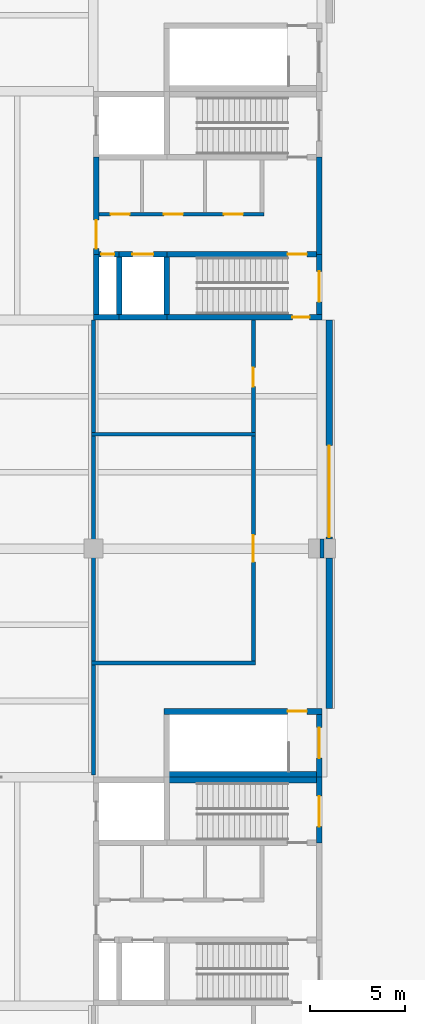
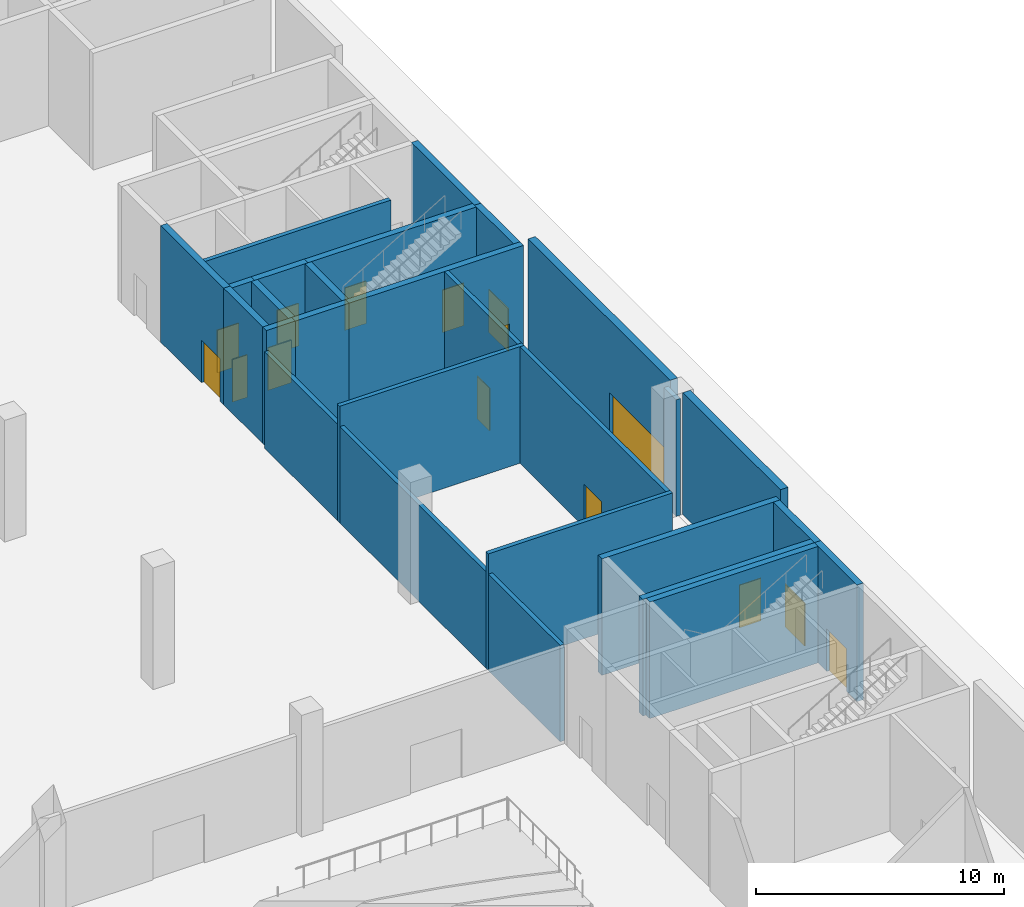
# One storey, part 43 of 59: 28 walls, 15 doors, 15 openings.
"""IFC4 building model written with IfcOpenShell, lengths in metres."""

from ifc_helpers import new_model, si_unit, direction, frame, frame_2d, origin, place, context, subcontext, project, spatial, rectangle, extrude, material, layer, layer_set, type_object, element, fill, save


model = new_model("IFC4")

# Units and contexts
model_context = context("Model", 3, precision=1e-05, world=origin(), true_north=direction((0.0, 1.0)))
body_context = subcontext(model_context, "Body", "Model", "MODEL_VIEW")
ifc_project = project(units=[si_unit("LENGTHUNIT", "METRE"), si_unit("AREAUNIT", "SQUARE_METRE"), si_unit("VOLUMEUNIT", "CUBIC_METRE"), si_unit("PLANEANGLEUNIT", "RADIAN"), si_unit("MASSUNIT", "GRAM", prefix="KILO")], contexts=[model_context])

# Site, building, storey
site_placement = place(None, origin())
site = spatial("IfcSite", under=ifc_project, at=site_placement, CompositionType="ELEMENT")
building_placement = place(site_placement, origin())
building = spatial("IfcBuilding", under=site, at=building_placement, Name="Lilac Gate Convention Centre", CompositionType="ELEMENT")
storey_placement = place(building_placement, origin())
storey = spatial("IfcBuildingStorey", under=building, at=storey_placement, Name="L00", CompositionType="ELEMENT", Elevation=0.0)

# Walls
ifc_material_1 = material(Name="Clay brick masonry", Category="masonry")
ifc_layer_1 = layer(ifc_material_1, 0.199951171875)
ifc_layer_set_1 = layer_set([ifc_layer_1], Name="Clay brick masonry")
wall_type_1 = type_object("IfcWallType", Name="Partition 200 brick EI 120", PredefinedType="PARTITIONING", material=ifc_layer_set_1)
for number, where, z_axis, x_axis, name in (
    (1, (77.89990234375, 168.0, 0.0), (0.0, 0.0, 1.0), (1.0, 0.0, 0.0), "Partition 200 brick EI 120"),
    (2, (77.89990234375, 180.0, 0.0), (0.0, 0.0, 1.0), (1.0, 0.0, 0.0), "Partition 200 brick EI 120"),
):
    element("IfcWall", number, at=place(storey_placement, frame(where, z_axis=z_axis, x_axis=x_axis)), inside=storey, type_object=wall_type_1, Name=name, PredefinedType="PARTITIONING", context=body_context, shape_type="SweptSolid", body=[
        extrude(rectangle(XDim=8.60009765625, YDim=0.199951171875, at=frame_2d((4.300048828125, 0.0))), origin(), (0.0, 0.0, 1.0), 5.75),
    ])
wall_1_placement = place(storey_placement, frame((78.0, 168.10009765625, 0.0), z_axis=(0.0, 0.0, 1.0), x_axis=(0.0, 1.0, 0.0)))
element("IfcWall", 3, at=wall_1_placement, inside=storey, type_object=wall_type_1, Name="Partition 200 brick EI 120", PredefinedType="PARTITIONING", context=body_context, shape_type="SweptSolid", body=[
    extrude(rectangle(XDim=11.7998046875, YDim=0.199951171875, at=frame_2d((5.89990234375, 0.0))), origin(), (0.0, 0.0, 1.0), 4.75),
])

# Wall, opening, door
wall_2_placement = place(storey_placement, frame((86.39990234375, 168.10009765625, 0.0), z_axis=(0.0, 0.0, 1.0), x_axis=(0.0, 1.0, 0.0)))
wall_2 = element("IfcWall", 4, at=wall_2_placement, inside=storey, type_object=wall_type_1, Name="Partition 200 brick EI 120", PredefinedType="PARTITIONING", context=body_context, shape_type="SweptSolid", body=[
    extrude(rectangle(XDim=11.7998046875, YDim=0.199951171875, at=frame_2d((5.89990234375, 0.0))), origin(), (0.0, 0.0, 1.0), 5.75),
])
opening_1_placement = place(wall_2_placement, frame((5.199951171875, 0.0, 0.0)))
opening_1 = element("IfcOpeningElement", 5, at=opening_1_placement, cuts=wall_2, Name="Opening L00-102", PredefinedType="OPENING", context=body_context, shape_type="SweptSolid", body=[
    extrude(rectangle(XDim=1.39990234375, YDim=2.10009765625, at=frame_2d((0.699951171875, 1.050048828125))), frame((0.0, 0.10986328125, 0.0), z_axis=(0.0, -1.0, 0.0), x_axis=(1.0, 0.0, 0.0)), (0.0, 0.0, 1.0), 0.219970703125),
])
ifc_material_2 = material(Name="Timber fire door leaf", Category="wood")
door_type_1 = type_object("IfcDoorType", Name="Door 1400 x 2100 double leaf FD30", OperationType="DOUBLE_DOOR_SINGLE_SWING", PredefinedType="DOOR", material=ifc_material_2)
door_1_placement = place(opening_1_placement, origin())
door_1 = element("IfcDoor", 6, at=door_1_placement, inside=storey, type_object=door_type_1, Name="Kitchen door L00-102", OperationType="DOUBLE_DOOR_SINGLE_SWING", OverallHeight=2.10009765625, OverallWidth=1.39990234375, PredefinedType="DOOR", context=body_context, shape_type="SweptSolid", body=[
    extrude(rectangle(XDim=1.39990234375, YDim=2.10009765625, at=frame_2d((0.699951171875, 1.050048828125))), frame((0.0, 0.02490234375, 0.0), z_axis=(0.0, -1.0, 0.0), x_axis=(1.0, 0.0, 0.0)), (0.0, 0.0, 1.0), 0.050048828125),
])
fill(opening_1, door_1)

# Wall, openings, doors
ifc_layer_2 = layer(ifc_material_1, 0.199951171875)
ifc_layer_set_2 = layer_set([ifc_layer_2], Name="Clay brick masonry")
wall_type_2 = type_object("IfcWallType", Name="Partition 200 brick EI 60", PredefinedType="PARTITIONING", material=ifc_layer_set_2)
wall_3_placement = place(storey_placement, frame((78.300048828125, 191.550048828125, 0.0), z_axis=(0.0, 0.0, 1.0), x_axis=(1.0, 0.0, 0.0)))
wall_3 = element("IfcWall", 7, at=wall_3_placement, inside=storey, type_object=wall_type_2, Name="Partition 200 brick EI 60", PredefinedType="PARTITIONING", context=body_context, shape_type="SweptSolid", body=[
    extrude(rectangle(XDim=8.64990234375, YDim=0.199951171875, at=frame_2d((4.324951171875, 0.0))), origin(), (0.0, 0.0, 1.0), 5.75),
])
opening_2_placement = place(wall_3_placement, frame((0.60009765625, 0.0, 0.0)))
opening_2 = element("IfcOpeningElement", 8, at=opening_2_placement, cuts=wall_3, Name="Opening L00-113", PredefinedType="OPENING", context=body_context, shape_type="SweptSolid", body=[
    extrude(rectangle(XDim=1.0, YDim=2.10009765625, at=frame_2d((0.5, 1.050048828125))), frame((0.0, 0.10986328125, 0.0), z_axis=(0.0, -1.0, 0.0), x_axis=(1.0, 0.0, 0.0)), (0.0, 0.0, 1.0), 0.219970703125),
])
opening_3_placement = place(wall_3_placement, frame((3.39990234375, 0.0, 0.0)))
opening_3 = element("IfcOpeningElement", 9, at=opening_3_placement, cuts=wall_3, Name="Opening L00-114", PredefinedType="OPENING", context=body_context, shape_type="SweptSolid", body=[
    extrude(rectangle(XDim=1.0, YDim=2.10009765625, at=frame_2d((0.5, 1.050048828125))), frame((0.0, 0.10986328125, 0.0), z_axis=(0.0, -1.0, 0.0), x_axis=(1.0, 0.0, 0.0)), (0.0, 0.0, 1.0), 0.219970703125),
])
opening_4_placement = place(wall_3_placement, frame((6.550048828125, 0.0, 0.0)))
opening_4 = element("IfcOpeningElement", 10, at=opening_4_placement, cuts=wall_3, Name="Opening L00-115", PredefinedType="OPENING", context=body_context, shape_type="SweptSolid", body=[
    extrude(rectangle(XDim=1.0, YDim=2.10009765625, at=frame_2d((0.5, 1.050048828125))), frame((0.0, 0.10986328125, 0.0), z_axis=(0.0, -1.0, 0.0), x_axis=(1.0, 0.0, 0.0)), (0.0, 0.0, 1.0), 0.219970703125),
])
door_type_2 = type_object("IfcDoorType", Name="Door 1000 x 2100 single leaf FD30", OperationType="SINGLE_SWING_LEFT", PredefinedType="DOOR", material=ifc_material_2)
door_2_placement = place(opening_2_placement, origin())
door_2 = element("IfcDoor", 11, at=door_2_placement, inside=storey, type_object=door_type_2, Name="Accessible WC door L00-113", OperationType="SINGLE_SWING_RIGHT", OverallHeight=2.10009765625, OverallWidth=1.0, PredefinedType="DOOR", context=body_context, shape_type="SweptSolid", body=[
    extrude(rectangle(XDim=1.0, YDim=2.10009765625, at=frame_2d((0.5, 1.050048828125))), frame((0.0, 0.02490234375, 0.0), z_axis=(0.0, -1.0, 0.0), x_axis=(1.0, 0.0, 0.0)), (0.0, 0.0, 1.0), 0.050048828125),
])
fill(opening_2, door_2)
door_3_placement = place(opening_3_placement, origin())
door_3 = element("IfcDoor", 12, at=door_3_placement, inside=storey, type_object=door_type_2, Name="WC door L00-114", OperationType="SINGLE_SWING_LEFT", OverallHeight=2.10009765625, OverallWidth=1.0, PredefinedType="DOOR", context=body_context, shape_type="SweptSolid", body=[
    extrude(rectangle(XDim=1.0, YDim=2.10009765625, at=frame_2d((0.5, 1.050048828125))), frame((0.0, 0.02490234375, 0.0), z_axis=(0.0, -1.0, 0.0), x_axis=(1.0, 0.0, 0.0)), (0.0, 0.0, 1.0), 0.050048828125),
])
fill(opening_3, door_3)
door_4_placement = place(opening_4_placement, origin())
door_4 = element("IfcDoor", 13, at=door_4_placement, inside=storey, type_object=door_type_2, Name="WC door L00-115", OperationType="SINGLE_SWING_RIGHT", OverallHeight=2.10009765625, OverallWidth=1.0, PredefinedType="DOOR", context=body_context, shape_type="SweptSolid", body=[
    extrude(rectangle(XDim=1.0, YDim=2.10009765625, at=frame_2d((0.5, 1.050048828125))), frame((0.0, 0.02490234375, 0.0), z_axis=(0.0, -1.0, 0.0), x_axis=(1.0, 0.0, 0.0)), (0.0, 0.0, 1.0), 0.050048828125),
])
fill(opening_4, door_4)

# Walls
wall_4_placement = place(storey_placement, frame((78.0, 162.10009765625, 0.0), z_axis=(0.0, 0.0, 1.0), x_axis=(0.0, 1.0, 0.0)))
element("IfcWall", 14, at=wall_4_placement, inside=storey, type_object=wall_type_2, Name="Partition 200 brick EI 60", PredefinedType="PARTITIONING", context=body_context, shape_type="SweptSolid", body=[
    extrude(rectangle(XDim=5.7998046875, YDim=0.199951171875, at=frame_2d((2.89990234375, 0.0))), origin(), (0.0, 0.0, 1.0), 4.75),
])
wall_5_placement = place(storey_placement, frame((78.0, 180.10009765625, 0.0), z_axis=(0.0, 0.0, 1.0), x_axis=(0.0, 1.0, 0.0)))
element("IfcWall", 15, at=wall_5_placement, inside=storey, type_object=wall_type_2, Name="Partition 200 brick EI 60", PredefinedType="PARTITIONING", context=body_context, shape_type="SweptSolid", body=[
    extrude(rectangle(XDim=5.89990234375, YDim=0.199951171875, at=frame_2d((2.949951171875, 0.0))), origin(), (0.0, 0.0, 1.0), 4.75),
])

# Wall, opening, door
wall_6_placement = place(storey_placement, frame((86.39990234375, 180.10009765625, 0.0), z_axis=(0.0, 0.0, 1.0), x_axis=(0.0, 1.0, 0.0)))
wall_6 = element("IfcWall", 16, at=wall_6_placement, inside=storey, type_object=wall_type_2, Name="Partition 200 brick EI 60", PredefinedType="PARTITIONING", context=body_context, shape_type="SweptSolid", body=[
    extrude(rectangle(XDim=5.89990234375, YDim=0.199951171875, at=frame_2d((2.949951171875, 0.0))), origin(), (0.0, 0.0, 1.0), 5.75),
])
opening_5_placement = place(wall_6_placement, frame((2.39990234375, 0.0, 0.0)))
opening_5 = element("IfcOpeningElement", 17, at=opening_5_placement, cuts=wall_6, Name="Opening L00-106", PredefinedType="OPENING", context=body_context, shape_type="SweptSolid", body=[
    extrude(rectangle(XDim=1.0, YDim=2.10009765625, at=frame_2d((0.5, 1.050048828125))), frame((0.0, 0.10986328125, 0.0), z_axis=(0.0, -1.0, 0.0), x_axis=(1.0, 0.0, 0.0)), (0.0, 0.0, 1.0), 0.219970703125),
])
door_5_placement = place(opening_5_placement, origin())
door_5 = element("IfcDoor", 18, at=door_5_placement, inside=storey, type_object=door_type_2, Name="Store door L00-106", OperationType="SINGLE_SWING_RIGHT", OverallHeight=2.10009765625, OverallWidth=1.0, PredefinedType="DOOR", context=body_context, shape_type="SweptSolid", body=[
    extrude(rectangle(XDim=1.0, YDim=2.10009765625, at=frame_2d((0.5, 1.050048828125))), frame((0.0, 0.02490234375, 0.0), z_axis=(0.0, -1.0, 0.0), x_axis=(1.0, 0.0, 0.0)), (0.0, 0.0, 1.0), 0.050048828125),
])
fill(opening_5, door_5)

# Walls
wall_7_placement = place(storey_placement, frame((90.0, 173.5, 0.0), z_axis=(0.0, 0.0, 1.0), x_axis=(0.0, 1.0, 0.0)))
element("IfcWall", 19, at=wall_7_placement, inside=storey, type_object=wall_type_2, Name="Partition 200 brick EI 60", PredefinedType="PARTITIONING", context=body_context, shape_type="SweptSolid", body=[
    extrude(rectangle(XDim=1.0, YDim=0.199951171875, at=frame_2d((0.5, 0.0))), origin(), (0.0, 0.0, 1.0), 5.75),
])
ifc_material_3 = material(Name="Ochre mineral render")
ifc_layer_3 = layer(ifc_material_3, 0.02001953125)
ifc_material_4 = material(Name="Concrete C40 precast", Category="concrete")
ifc_layer_4 = layer(ifc_material_4, 0.06005859375)
ifc_material_5 = material(Name="Ventilated air cavity")
ifc_layer_5 = layer(ifc_material_5, 0.030029296875)
ifc_material_6 = material(Name="Mineral wool insulation")
ifc_layer_6 = layer(ifc_material_6, 0.169921875)
ifc_material_7 = material(Name="Steel stud Q345 and gypsum lining", Category="steel")
ifc_layer_7 = layer(ifc_material_7, 0.070068359375)
ifc_layer_set_3 = layer_set([ifc_layer_3, ifc_layer_4, ifc_layer_5, ifc_layer_6, ifc_layer_7], Name="Ochre mineral render, Concrete C40 precast, Ventilated air cavity, Mineral wool insulation, Steel stud Q345 and gypsum lining")
wall_type_3 = type_object("IfcWallType", Name="Podium precast wall 350", PredefinedType="STANDARD", material=ifc_layer_set_3)
wall_8_placement = place(storey_placement, frame((90.375, 165.60009765625, 0.0), z_axis=(0.0, 0.0, 1.0), x_axis=(0.0, 1.0, 0.0)))
element("IfcWall", 20, at=wall_8_placement, inside=storey, type_object=wall_type_3, Name="External wall hall east HE L00 10", PredefinedType="STANDARD", context=body_context, shape_type="SweptSolid", body=[
    extrude(rectangle(XDim=7.89990234375, YDim=0.35009765625, at=frame_2d((3.949951171875, 0.0))), origin(), (0.0, 0.0, 1.0), 6.0),
])

# Wall, opening, door
wall_9_placement = place(storey_placement, frame((90.375, 174.5, 0.0), z_axis=(0.0, 0.0, 1.0), x_axis=(0.0, 1.0, 0.0)))
wall_9 = element("IfcWall", 21, at=wall_9_placement, inside=storey, type_object=wall_type_3, Name="External wall hall east HE L00 11", PredefinedType="STANDARD", context=body_context, shape_type="SweptSolid", body=[
    extrude(rectangle(XDim=11.5, YDim=0.35009765625, at=frame_2d((5.75, 0.0))), origin(), (0.0, 0.0, 1.0), 6.0),
])
opening_6_placement = place(wall_9_placement, frame((0.10009765625, 0.0, 0.0)))
opening_6 = element("IfcOpeningElement", 22, at=opening_6_placement, cuts=wall_9, Name="Opening ED-029", PredefinedType="OPENING", context=body_context, shape_type="SweptSolid", body=[
    extrude(rectangle(XDim=4.800048828125, YDim=2.39990234375, at=frame_2d((2.39990234375, 1.199951171875))), frame((0.0, 0.18505859375, 0.0), z_axis=(0.0, -1.0, 0.0), x_axis=(1.0, 0.0, 0.0)), (0.0, 0.0, 1.0), 0.3701171875),
])
ifc_material_8 = material(Name="Steel Q235B", Category="steel")
door_type_3 = type_object("IfcDoorType", Name="Exit door set 4800 x 2400", OperationType="DOUBLE_DOOR_SINGLE_SWING", PredefinedType="DOOR", material=ifc_material_8)
door_6_placement = place(opening_6_placement, frame((4.800048828125, 0.0, 0.0), z_axis=(0.0, 0.0, 1.0), x_axis=(-1.0, 0.0, 0.0)))
door_6 = element("IfcDoor", 23, at=door_6_placement, inside=storey, type_object=door_type_3, Name="Pedestrian exit doors G18", OperationType="DOUBLE_DOOR_SINGLE_SWING", OverallHeight=2.39990234375, OverallWidth=4.800048828125, PredefinedType="DOOR", context=body_context, shape_type="SweptSolid", body=[
    extrude(rectangle(XDim=4.800048828125, YDim=2.39990234375, at=frame_2d((2.39990234375, 1.199951171875))), frame((0.0, 0.02490234375, 0.0), z_axis=(0.0, -1.0, 0.0), x_axis=(1.0, 0.0, 0.0)), (0.0, 0.0, 1.0), 0.050048828125),
])
fill(opening_6, door_6)

# Wall
ifc_material_9 = material(Name="Concrete C40", Category="concrete")
ifc_layer_8 = layer(ifc_material_9, 0.300048828125)
ifc_layer_set_4 = layer_set([ifc_layer_8], Name="Concrete C40")
wall_type_4 = type_object("IfcWallType", Name="Shear wall 300 C40", PredefinedType="SHEAR", material=ifc_layer_set_4)
wall_10_placement = place(storey_placement, frame((90.0, 162.14990234375, 0.0), z_axis=(0.0, 0.0, 1.0), x_axis=(-1.0, 0.0, 0.0)))
element("IfcWall", 24, at=wall_10_placement, inside=storey, type_object=wall_type_4, Name="SW1 shear wall BE2 L00 1", PredefinedType="SHEAR", context=body_context, shape_type="SweptSolid", body=[
    extrude(rectangle(XDim=8.300048828125, YDim=0.300048828125, at=frame_2d((4.14990234375, 0.0))), origin(), (0.0, 0.0, 1.0), 5.75),
])

# Wall, opening, door
wall_11_placement = place(storey_placement, frame((90.0, 165.449951171875, 0.0), z_axis=(0.0, 0.0, 1.0), x_axis=(-1.0, 0.0, 0.0)))
wall_11 = element("IfcWall", 25, at=wall_11_placement, inside=storey, type_object=wall_type_4, Name="SW1 shear wall BE2 L00 2", PredefinedType="SHEAR", context=body_context, shape_type="SweptSolid", body=[
    extrude(rectangle(XDim=8.300048828125, YDim=0.300048828125, at=frame_2d((4.14990234375, 0.0))), origin(), (0.0, 0.0, 1.0), 5.75),
])
opening_7_placement = place(wall_11_placement, frame((0.800048828125, 0.0, 0.0)))
opening_7 = element("IfcOpeningElement", 26, at=opening_7_placement, cuts=wall_11, Name="Opening L00-101", PredefinedType="OPENING", context=body_context, shape_type="SweptSolid", body=[
    extrude(rectangle(XDim=1.0, YDim=2.10009765625, at=frame_2d((0.5, 1.050048828125))), frame((0.0, 0.159912109375, 0.0), z_axis=(0.0, -1.0, 0.0), x_axis=(1.0, 0.0, 0.0)), (0.0, 0.0, 1.0), 0.320068359375),
])
door_type_4 = type_object("IfcDoorType", Name="Door 1000 x 2100 single leaf FD60", OperationType="SINGLE_SWING_LEFT", PredefinedType="DOOR", material=ifc_material_2)
door_7_placement = place(opening_7_placement, origin())
door_7 = element("IfcDoor", 27, at=door_7_placement, inside=storey, type_object=door_type_4, Name="Stair door L00-101", OperationType="SINGLE_SWING_RIGHT", OverallHeight=2.10009765625, OverallWidth=1.0, PredefinedType="DOOR", context=body_context, shape_type="SweptSolid", body=[
    extrude(rectangle(XDim=1.0, YDim=2.10009765625, at=frame_2d((0.5, 1.050048828125))), frame((0.0, 0.02490234375, 0.0), z_axis=(0.0, -1.0, 0.0), x_axis=(1.0, 0.0, 0.0)), (0.0, 0.0, 1.0), 0.050048828125),
])
fill(opening_7, door_7)

wall_12_placement = place(storey_placement, frame((89.85009765625, 162.0, 0.0), z_axis=(0.0, 0.0, 1.0), x_axis=(0.0, 1.0, 0.0)))
wall_12 = element("IfcWall", 28, at=wall_12_placement, inside=storey, type_object=wall_type_4, Name="SW1 shear wall BE2 L00 3", PredefinedType="SHEAR", context=body_context, shape_type="SweptSolid", body=[
    extrude(rectangle(XDim=3.300048828125, YDim=0.300048828125, at=frame_2d((1.64990234375, 0.0))), origin(), (0.0, 0.0, 1.0), 5.75),
])
opening_8_placement = place(wall_12_placement, frame((1.0, 0.0, 0.0)))
opening_8 = element("IfcOpeningElement", 29, at=opening_8_placement, cuts=wall_12, Name="Opening L00-099", PredefinedType="OPENING", context=body_context, shape_type="SweptSolid", body=[
    extrude(rectangle(XDim=1.60009765625, YDim=2.10009765625, at=frame_2d((0.800048828125, 1.050048828125))), frame((0.0, 0.159912109375, 0.0), z_axis=(0.0, -1.0, 0.0), x_axis=(1.0, 0.0, 0.0)), (0.0, 0.0, 1.0), 0.320068359375),
])
door_type_5 = type_object("IfcDoorType", Name="Door 1600 x 2100 double leaf FD60", OperationType="DOUBLE_DOOR_SINGLE_SWING", PredefinedType="DOOR", material=ifc_material_2)
door_8_placement = place(opening_8_placement, frame((1.60009765625, 0.0, 0.0), z_axis=(0.0, 0.0, 1.0), x_axis=(-1.0, 0.0, 0.0)))
door_8 = element("IfcDoor", 30, at=door_8_placement, inside=storey, type_object=door_type_5, Name="Stair exit door L00-099", OperationType="DOUBLE_DOOR_SINGLE_SWING", OverallHeight=2.10009765625, OverallWidth=1.60009765625, PredefinedType="DOOR", context=body_context, shape_type="SweptSolid", body=[
    extrude(rectangle(XDim=1.60009765625, YDim=2.10009765625, at=frame_2d((0.800048828125, 1.050048828125))), frame((0.0, 0.02490234375, 0.0), z_axis=(0.0, -1.0, 0.0), x_axis=(1.0, 0.0, 0.0)), (0.0, 0.0, 1.0), 0.050048828125),
])
fill(opening_8, door_8)

# Wall
wall_13_placement = place(storey_placement, frame((90.0, 161.85009765625, 0.0), z_axis=(0.0, 0.0, 1.0), x_axis=(-1.0, 0.0, 0.0)))
element("IfcWall", 31, at=wall_13_placement, inside=storey, type_object=wall_type_4, Name="SW1 shear wall E2 L00 4", PredefinedType="SHEAR", context=body_context, shape_type="SweptSolid", body=[
    extrude(rectangle(XDim=8.14990234375, YDim=0.300048828125, at=frame_2d((4.074951171875, 0.0))), origin(), (0.0, 0.0, 1.0), 5.75),
])

# Wall, opening, door
wall_14_placement = place(storey_placement, frame((89.85009765625, 158.550048828125, 0.0), z_axis=(0.0, 0.0, 1.0), x_axis=(0.0, 1.0, 0.0)))
wall_14 = element("IfcWall", 32, at=wall_14_placement, inside=storey, type_object=wall_type_4, Name="SW1 shear wall E2 L00 13", PredefinedType="SHEAR", context=body_context, shape_type="SweptSolid", body=[
    extrude(rectangle(XDim=3.449951171875, YDim=0.300048828125, at=frame_2d((1.72509765625, 0.0))), origin(), (0.0, 0.0, 1.0), 5.75),
])
opening_9_placement = place(wall_14_placement, frame((0.85009765625, 0.0, 0.0)))
opening_9 = element("IfcOpeningElement", 33, at=opening_9_placement, cuts=wall_14, Name="Opening L00-092", PredefinedType="OPENING", context=body_context, shape_type="SweptSolid", body=[
    extrude(rectangle(XDim=1.60009765625, YDim=2.10009765625, at=frame_2d((0.800048828125, 1.050048828125))), frame((0.0, 0.159912109375, 0.0), z_axis=(0.0, -1.0, 0.0), x_axis=(1.0, 0.0, 0.0)), (0.0, 0.0, 1.0), 0.320068359375),
])
door_9_placement = place(opening_9_placement, frame((1.60009765625, 0.0, 0.0), z_axis=(0.0, 0.0, 1.0), x_axis=(-1.0, 0.0, 0.0)))
door_9 = element("IfcDoor", 34, at=door_9_placement, inside=storey, type_object=door_type_5, Name="Stair exit door L00-092", OperationType="DOUBLE_DOOR_SINGLE_SWING", OverallHeight=2.10009765625, OverallWidth=1.60009765625, PredefinedType="DOOR", context=body_context, shape_type="SweptSolid", body=[
    extrude(rectangle(XDim=1.60009765625, YDim=2.10009765625, at=frame_2d((0.800048828125, 1.050048828125))), frame((0.0, 0.02490234375, 0.0), z_axis=(0.0, -1.0, 0.0), x_axis=(1.0, 0.0, 0.0)), (0.0, 0.0, 1.0), 0.050048828125),
])
fill(opening_9, door_9)

wall_15_placement = place(storey_placement, frame((90.0, 186.14990234375, 0.0), z_axis=(0.0, 0.0, 1.0), x_axis=(-1.0, 0.0, 0.0)))
wall_15 = element("IfcWall", 35, at=wall_15_placement, inside=storey, type_object=wall_type_4, Name="SW1 shear wall E3 L00 1", PredefinedType="SHEAR", context=body_context, shape_type="SweptSolid", body=[
    extrude(rectangle(XDim=8.14990234375, YDim=0.300048828125, at=frame_2d((4.074951171875, 0.0))), origin(), (0.0, 0.0, 1.0), 5.75),
])
opening_10_placement = place(wall_15_placement, frame((0.64990234375, 0.0, 0.0)))
opening_10 = element("IfcOpeningElement", 36, at=opening_10_placement, cuts=wall_15, Name="Opening L00-108", PredefinedType="OPENING", context=body_context, shape_type="SweptSolid", body=[
    extrude(rectangle(XDim=0.89990234375, YDim=2.10009765625, at=frame_2d((0.449951171875, 1.050048828125))), frame((0.0, 0.159912109375, 0.0), z_axis=(0.0, -1.0, 0.0), x_axis=(1.0, 0.0, 0.0)), (0.0, 0.0, 1.0), 0.320068359375),
])
door_type_6 = type_object("IfcDoorType", Name="Door 900 x 2100 single leaf FD60", OperationType="SINGLE_SWING_LEFT", PredefinedType="DOOR", material=ifc_material_2)
door_10_placement = place(opening_10_placement, frame((0.89990234375, 0.0, 0.0), z_axis=(0.0, 0.0, 1.0), x_axis=(-1.0, 0.0, 0.0)))
door_10 = element("IfcDoor", 37, at=door_10_placement, inside=storey, type_object=door_type_6, Name="Stair door L00-108", OperationType="SINGLE_SWING_LEFT", OverallHeight=2.10009765625, OverallWidth=0.89990234375, PredefinedType="DOOR", context=body_context, shape_type="SweptSolid", body=[
    extrude(rectangle(XDim=0.89990234375, YDim=2.10009765625, at=frame_2d((0.449951171875, 1.050048828125))), frame((0.0, 0.02490234375, 0.0), z_axis=(0.0, -1.0, 0.0), x_axis=(1.0, 0.0, 0.0)), (0.0, 0.0, 1.0), 0.050048828125),
])
fill(opening_10, door_10)

# Walls
wall_16_placement = place(storey_placement, frame((81.85009765625, 186.14990234375, 0.0), z_axis=(0.0, 0.0, 1.0), x_axis=(-1.0, 0.0, 0.0)))
element("IfcWall", 38, at=wall_16_placement, inside=storey, type_object=wall_type_4, Name="SW1 shear wall E3 L00 2", PredefinedType="SHEAR", context=body_context, shape_type="SweptSolid", body=[
    extrude(rectangle(XDim=2.5, YDim=0.300048828125, at=frame_2d((1.25, 0.0))), origin(), (0.0, 0.0, 1.0), 5.75),
])
wall_17_placement = place(storey_placement, frame((79.35009765625, 186.14990234375, 0.0), z_axis=(0.0, 0.0, 1.0), x_axis=(-1.0, 0.0, 0.0)))
element("IfcWall", 39, at=wall_17_placement, inside=storey, type_object=wall_type_4, Name="SW1 shear wall E3 L00 3", PredefinedType="SHEAR", context=body_context, shape_type="SweptSolid", body=[
    extrude(rectangle(XDim=1.35009765625, YDim=0.300048828125, at=frame_2d((0.675048828125, 0.0))), origin(), (0.0, 0.0, 1.0), 5.75),
])

# Wall, opening, door
wall_18_placement = place(storey_placement, frame((89.699951171875, 189.449951171875, 0.0), z_axis=(0.0, 0.0, 1.0), x_axis=(-1.0, 0.0, 0.0)))
wall_18 = element("IfcWall", 40, at=wall_18_placement, inside=storey, type_object=wall_type_4, Name="SW1 shear wall E3 L00 6", PredefinedType="SHEAR", context=body_context, shape_type="SweptSolid", body=[
    extrude(rectangle(XDim=7.849853515625, YDim=0.300048828125, at=frame_2d((3.9248046875, 0.0))), origin(), (0.0, 0.0, 1.0), 5.75),
])
opening_11_placement = place(wall_18_placement, frame((0.5, 0.0, 0.0)))
opening_11 = element("IfcOpeningElement", 41, at=opening_11_placement, cuts=wall_18, Name="Opening L00-111", PredefinedType="OPENING", context=body_context, shape_type="SweptSolid", body=[
    extrude(rectangle(XDim=1.0, YDim=2.10009765625, at=frame_2d((0.5, 1.050048828125))), frame((0.0, 0.159912109375, 0.0), z_axis=(0.0, -1.0, 0.0), x_axis=(1.0, 0.0, 0.0)), (0.0, 0.0, 1.0), 0.320068359375),
])
door_11_placement = place(opening_11_placement, origin())
door_11 = element("IfcDoor", 42, at=door_11_placement, inside=storey, type_object=door_type_4, Name="Stair door L00-111", OperationType="SINGLE_SWING_RIGHT", OverallHeight=2.10009765625, OverallWidth=1.0, PredefinedType="DOOR", context=body_context, shape_type="SweptSolid", body=[
    extrude(rectangle(XDim=1.0, YDim=2.10009765625, at=frame_2d((0.5, 1.050048828125))), frame((0.0, 0.02490234375, 0.0), z_axis=(0.0, -1.0, 0.0), x_axis=(1.0, 0.0, 0.0)), (0.0, 0.0, 1.0), 0.050048828125),
])
fill(opening_11, door_11)

wall_19_placement = place(storey_placement, frame((81.85009765625, 189.449951171875, 0.0), z_axis=(0.0, 0.0, 1.0), x_axis=(-1.0, 0.0, 0.0)))
wall_19 = element("IfcWall", 43, at=wall_19_placement, inside=storey, type_object=wall_type_4, Name="SW1 shear wall E3 L00 7", PredefinedType="SHEAR", context=body_context, shape_type="SweptSolid", body=[
    extrude(rectangle(XDim=2.5, YDim=0.300048828125, at=frame_2d((1.25, 0.0))), origin(), (0.0, 0.0, 1.0), 5.75),
])
opening_12_placement = place(wall_19_placement, frame((0.699951171875, 0.0, 0.0)))
opening_12 = element("IfcOpeningElement", 44, at=opening_12_placement, cuts=wall_19, Name="Opening LDE3-00", PredefinedType="OPENING", context=body_context, shape_type="SweptSolid", body=[
    extrude(rectangle(XDim=1.10009765625, YDim=2.10009765625, at=frame_2d((0.550048828125, 1.050048828125))), frame((0.0, 0.159912109375, 0.0), z_axis=(0.0, -1.0, 0.0), x_axis=(1.0, 0.0, 0.0)), (0.0, 0.0, 1.0), 0.320068359375),
])
ifc_material_10 = material(Name="Stainless steel 304", Category="steel")
door_type_7 = type_object("IfcDoorType", Name="Lift landing door 1100 x 2100", OperationType="SLIDING_TO_LEFT", PredefinedType="DOOR", material=ifc_material_10)
door_12_placement = place(opening_12_placement, origin())
door_12 = element("IfcDoor", 45, at=door_12_placement, inside=storey, type_object=door_type_7, Name="Lift landing door LDE3-00", OperationType="SLIDING_TO_LEFT", OverallHeight=2.10009765625, OverallWidth=1.10009765625, PredefinedType="DOOR", context=body_context, shape_type="SweptSolid", body=[
    extrude(rectangle(XDim=1.10009765625, YDim=2.10009765625, at=frame_2d((0.550048828125, 1.050048828125))), frame((0.0, 0.02490234375, 0.0), z_axis=(0.0, -1.0, 0.0), x_axis=(1.0, 0.0, 0.0)), (0.0, 0.0, 1.0), 0.050048828125),
])
fill(opening_12, door_12)

wall_20_placement = place(storey_placement, frame((79.35009765625, 189.449951171875, 0.0), z_axis=(0.0, 0.0, 1.0), x_axis=(-1.0, 0.0, 0.0)))
wall_20 = element("IfcWall", 46, at=wall_20_placement, inside=storey, type_object=wall_type_4, Name="SW1 shear wall E3 L00 8", PredefinedType="SHEAR", context=body_context, shape_type="SweptSolid", body=[
    extrude(rectangle(XDim=1.050048828125, YDim=0.300048828125, at=frame_2d((0.52490234375, 0.0))), origin(), (0.0, 0.0, 1.0), 5.75),
])
opening_13_placement = place(wall_20_placement, frame((0.25, 0.0, 0.0)))
opening_13 = element("IfcOpeningElement", 47, at=opening_13_placement, cuts=wall_20, Name="Opening L00-110", PredefinedType="OPENING", context=body_context, shape_type="SweptSolid", body=[
    extrude(rectangle(XDim=0.699951171875, YDim=2.10009765625, at=frame_2d((0.35009765625, 1.050048828125))), frame((0.0, 0.159912109375, 0.0), z_axis=(0.0, -1.0, 0.0), x_axis=(1.0, 0.0, 0.0)), (0.0, 0.0, 1.0), 0.320068359375),
])
door_type_8 = type_object("IfcDoorType", Name="Door 700 x 2100 single leaf FD30", OperationType="SINGLE_SWING_LEFT", PredefinedType="DOOR", material=ifc_material_2)
door_13_placement = place(opening_13_placement, origin())
door_13 = element("IfcDoor", 48, at=door_13_placement, inside=storey, type_object=door_type_8, Name="Riser access door L00-110", OperationType="SINGLE_SWING_LEFT", OverallHeight=2.10009765625, OverallWidth=0.699951171875, PredefinedType="DOOR", context=body_context, shape_type="SweptSolid", body=[
    extrude(rectangle(XDim=0.699951171875, YDim=2.10009765625, at=frame_2d((0.35009765625, 1.050048828125))), frame((0.0, 0.02490234375, 0.0), z_axis=(0.0, -1.0, 0.0), x_axis=(1.0, 0.0, 0.0)), (0.0, 0.0, 1.0), 0.050048828125),
])
fill(opening_13, door_13)

wall_21_placement = place(storey_placement, frame((89.85009765625, 186.300048828125, 0.0), z_axis=(0.0, 0.0, 1.0), x_axis=(0.0, 1.0, 0.0)))
wall_21 = element("IfcWall", 49, at=wall_21_placement, inside=storey, type_object=wall_type_4, Name="SW1 shear wall E3 L00 11", PredefinedType="SHEAR", context=body_context, shape_type="SweptSolid", body=[
    extrude(rectangle(XDim=3.14990234375, YDim=0.300048828125, at=frame_2d((1.574951171875, 0.0))), origin(), (0.0, 0.0, 1.0), 5.75),
])
opening_14_placement = place(wall_21_placement, frame((0.64990234375, 0.0, 0.0)))
opening_14 = element("IfcOpeningElement", 50, at=opening_14_placement, cuts=wall_21, Name="Opening L00-109", PredefinedType="OPENING", context=body_context, shape_type="SweptSolid", body=[
    extrude(rectangle(XDim=1.60009765625, YDim=2.10009765625, at=frame_2d((0.800048828125, 1.050048828125))), frame((0.0, 0.159912109375, 0.0), z_axis=(0.0, -1.0, 0.0), x_axis=(1.0, 0.0, 0.0)), (0.0, 0.0, 1.0), 0.320068359375),
])
door_14_placement = place(opening_14_placement, frame((1.60009765625, 0.0, 0.0), z_axis=(0.0, 0.0, 1.0), x_axis=(-1.0, 0.0, 0.0)))
door_14 = element("IfcDoor", 51, at=door_14_placement, inside=storey, type_object=door_type_5, Name="Stair exit door L00-109", OperationType="DOUBLE_DOOR_SINGLE_SWING", OverallHeight=2.10009765625, OverallWidth=1.60009765625, PredefinedType="DOOR", context=body_context, shape_type="SweptSolid", body=[
    extrude(rectangle(XDim=1.60009765625, YDim=2.10009765625, at=frame_2d((0.800048828125, 1.050048828125))), frame((0.0, 0.02490234375, 0.0), z_axis=(0.0, -1.0, 0.0), x_axis=(1.0, 0.0, 0.0)), (0.0, 0.0, 1.0), 0.050048828125),
])
fill(opening_14, door_14)

# Walls
wall_22_placement = place(storey_placement, frame((89.85009765625, 189.449951171875, 0.0), z_axis=(0.0, 0.0, 1.0), x_axis=(0.0, 1.0, 0.0)))
element("IfcWall", 52, at=wall_22_placement, inside=storey, type_object=wall_type_4, Name="SW1 shear wall E3 L00 12", PredefinedType="SHEAR", context=body_context, shape_type="SweptSolid", body=[
    extrude(rectangle(XDim=5.10009765625, YDim=0.300048828125, at=frame_2d((2.550048828125, 0.0))), origin(), (0.0, 0.0, 1.0), 5.75),
])
wall_23_placement = place(storey_placement, frame((78.14990234375, 186.300048828125, 0.0), z_axis=(0.0, 0.0, 1.0), x_axis=(0.0, 1.0, 0.0)))
element("IfcWall", 53, at=wall_23_placement, inside=storey, type_object=wall_type_4, Name="SW1 shear wall E3 L00 14", PredefinedType="SHEAR", context=body_context, shape_type="SweptSolid", body=[
    extrude(rectangle(XDim=3.14990234375, YDim=0.300048828125, at=frame_2d((1.574951171875, 0.0))), origin(), (0.0, 0.0, 1.0), 5.75),
])

# Wall, opening, door
wall_24_placement = place(storey_placement, frame((78.14990234375, 189.449951171875, 0.0), z_axis=(0.0, 0.0, 1.0), x_axis=(0.0, 1.0, 0.0)))
wall_24 = element("IfcWall", 54, at=wall_24_placement, inside=storey, type_object=wall_type_4, Name="SW1 shear wall E3 L00 15", PredefinedType="SHEAR", context=body_context, shape_type="SweptSolid", body=[
    extrude(rectangle(XDim=5.10009765625, YDim=0.300048828125, at=frame_2d((2.550048828125, 0.0))), origin(), (0.0, 0.0, 1.0), 5.75),
])
opening_15_placement = place(wall_24_placement, frame((0.300048828125, 0.0, 0.0)))
opening_15 = element("IfcOpeningElement", 55, at=opening_15_placement, cuts=wall_24, Name="Opening L00-112", PredefinedType="OPENING", context=body_context, shape_type="SweptSolid", body=[
    extrude(rectangle(XDim=1.5, YDim=2.10009765625, at=frame_2d((0.75, 1.050048828125))), frame((0.0, 0.159912109375, 0.0), z_axis=(0.0, -1.0, 0.0), x_axis=(1.0, 0.0, 0.0)), (0.0, 0.0, 1.0), 0.320068359375),
])
door_type_9 = type_object("IfcDoorType", Name="Door 1500 x 2100 double leaf FD30", OperationType="DOUBLE_DOOR_SINGLE_SWING", PredefinedType="DOOR", material=ifc_material_2)
door_15_placement = place(opening_15_placement, frame((1.5, 0.0, 0.0), z_axis=(0.0, 0.0, 1.0), x_axis=(-1.0, 0.0, 0.0)))
door_15 = element("IfcDoor", 56, at=door_15_placement, inside=storey, type_object=door_type_9, Name="Lobby door L00-112", OperationType="DOUBLE_DOOR_SINGLE_SWING", OverallHeight=2.10009765625, OverallWidth=1.5, PredefinedType="DOOR", context=body_context, shape_type="SweptSolid", body=[
    extrude(rectangle(XDim=1.5, YDim=2.10009765625, at=frame_2d((0.75, 1.050048828125))), frame((0.0, 0.02490234375, 0.0), z_axis=(0.0, -1.0, 0.0), x_axis=(1.0, 0.0, 0.0)), (0.0, 0.0, 1.0), 0.050048828125),
])
fill(opening_15, door_15)

# Walls
for number, where, z_axis, x_axis, name in (
    (57, (81.85009765625, 186.300048828125, 0.0), (0.0, 0.0, 1.0), (0.0, 1.0, 0.0), "SW1 shear wall E3 L00 17"),
    (58, (79.35009765625, 186.300048828125, 0.0), (0.0, 0.0, 1.0), (0.0, 1.0, 0.0), "SW1 shear wall E3 L00 19"),
):
    element("IfcWall", number, at=place(storey_placement, frame(where, z_axis=z_axis, x_axis=x_axis)), inside=storey, type_object=wall_type_4, Name=name, PredefinedType="SHEAR", context=body_context, shape_type="SweptSolid", body=[
        extrude(rectangle(XDim=3.0, YDim=0.300048828125, at=frame_2d((1.5, 0.0))), origin(), (0.0, 0.0, 1.0), 5.75),
    ])

save(model, "model.ifc")
